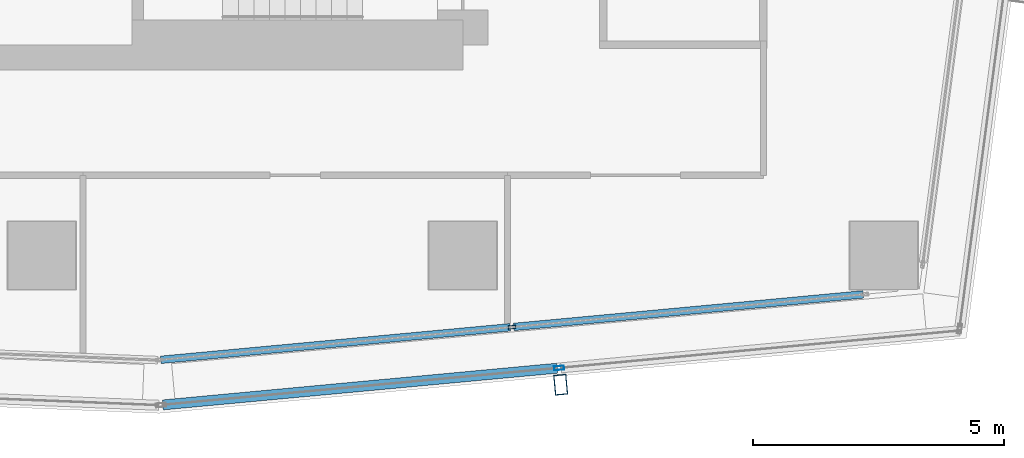
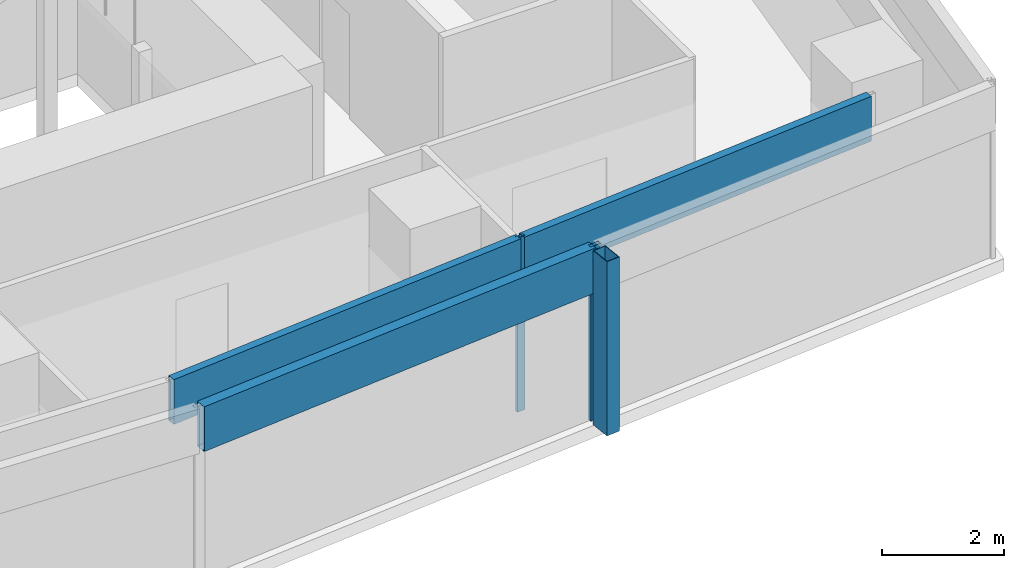
# One storey, part 11 of 40: 6 members, 2 elements without a shape of their own.
"""IFC4 building model written with IfcOpenShell, lengths in metres."""

import ifcopenshell
import ifcopenshell.guid

model = None  # the IFC model being written
_history = None  # IfcOwnerHistory: only IFC2X3 demands one
_inside = {}  # id of a spatial element -> (the spatial element, [elements in it])
_under = {}  # id of a project, library or spatial element -> (it, [spatial elements below it])
_declared = {}  # id of a project -> (the project, [libraries it declares])
_typed = {}  # id of a type object -> (the type object, [elements of that type])
_made_of = {}  # id of a material, layer set ... -> (it, [elements and type objects made of it])


def new_model(schema):
    """Start an empty IFC model of exactly this schema.

    Asked for "IFC4X3", IfcOpenShell would pick the latest addendum, in which some entities
    have other attributes; the version numbers below select the first issue.
    IFC2X3 requires an IfcOwnerHistory on every rooted entity: one is made here for all.
    """
    global model, _history
    if schema == "IFC4X3":
        model = ifcopenshell.file(schema_version=(4, 3, 0, 0))
    else:
        model = ifcopenshell.file(schema=schema)
    _inside.clear()
    _under.clear()
    _declared.clear()
    _typed.clear()
    _made_of.clear()
    _history = None
    if model.schema == "IFC2X3":
        org = make("IfcOrganization", Name="unknown")
        user = make(
            "IfcPersonAndOrganization",
            ThePerson=make("IfcPerson", FamilyName="unknown"),
            TheOrganization=org,
        )
        app = make(
            "IfcApplication",
            ApplicationDeveloper=org,
            Version="unknown",
            ApplicationFullName="unknown",
            ApplicationIdentifier="unknown",
        )
        _history = make(
            "IfcOwnerHistory",
            OwningUser=user,
            OwningApplication=app,
            ChangeAction="ADDED",
            CreationDate=0,
        )
    return model


def make(cls, **values):
    """One entity of the class cls with the attributes given. An attribute that is None is left unset."""
    return model.create_entity(
        cls, **{name: value for name, value in values.items() if value is not None}
    )


def rooted(cls, **values):
    """An entity with a GlobalId (a new one), such as an element, a storey or a relation."""
    return make(cls, GlobalId=ifcopenshell.guid.new(), OwnerHistory=_history, **values)


def si_unit(unit_type, name, prefix=None):
    """IfcSIUnit, for example si_unit("LENGTHUNIT", "METRE", prefix="MILLI")."""
    return make("IfcSIUnit", UnitType=unit_type, Prefix=prefix, Name=name)


def assignment(units):
    """IfcUnitAssignment: the units of a project."""
    return None if units is None else make("IfcUnitAssignment", Units=units)


def point(xyz):
    """IfcCartesianPoint."""
    return None if xyz is None else make("IfcCartesianPoint", Coordinates=xyz)


def direction(xyz):
    """IfcDirection."""
    return None if xyz is None else make("IfcDirection", DirectionRatios=xyz)


def frame(location, z_axis=None, x_axis=None):
    """IfcAxis2Placement3D, a coordinate frame: its origin and axes. An axis left out is left unset."""
    return make(
        "IfcAxis2Placement3D",
        Location=point(location),
        Axis=direction(z_axis),
        RefDirection=direction(x_axis),
    )


def frame_2d(location, x_axis=None):
    """IfcAxis2Placement2D, a coordinate frame in the plane: its origin and x axis."""
    return make(
        "IfcAxis2Placement2D", Location=point(location), RefDirection=direction(x_axis)
    )


def origin():
    """The frame at (0, 0, 0) with its axes left unset."""
    return frame((0.0, 0.0, 0.0))


def origin_2d():
    """The frame at (0, 0) in the plane with its x axis left unset."""
    return frame_2d((0.0, 0.0))


def place(relative_to, where):
    """IfcLocalPlacement: puts the frame where relative to a parent placement (None: the world)."""
    return make(
        "IfcLocalPlacement", PlacementRelTo=relative_to, RelativePlacement=where
    )


def context(
    kind, dimensions, precision=None, world=None, true_north=None, identifier=None
):
    """IfcGeometricRepresentationContext, for example the 3D "Model" context."""
    return make(
        "IfcGeometricRepresentationContext",
        ContextIdentifier=identifier,
        ContextType=kind,
        CoordinateSpaceDimension=dimensions,
        Precision=precision,
        WorldCoordinateSystem=world,
        TrueNorth=true_north,
    )


def subcontext(parent, identifier, kind, view, scale=None):
    """IfcGeometricRepresentationSubContext, for example "Body" below "Model"."""
    return make(
        "IfcGeometricRepresentationSubContext",
        ContextIdentifier=identifier,
        ContextType=kind,
        ParentContext=parent,
        TargetScale=scale,
        TargetView=view,
    )


def project(units=None, contexts=None):
    """IfcProject with its units and contexts."""
    return rooted(
        "IfcProject",
        Name="project",
        RepresentationContexts=contexts,
        UnitsInContext=assignment(units),
    )


def spatial(cls, under=None, at=None, **own):
    """A site, building, storey or space (cls), placed at a placement, below another one or the project."""
    s = rooted(cls, ObjectPlacement=at, **own)
    if under is not None:
        _under.setdefault(under.id(), (under, []))[1].append(s)
    return s


def profile(cls, at=None, kind="AREA", **sizes):
    """A parametric profile (cls). Its sizes go by their IFC names, for example OverallWidth=200.0."""
    return make(cls, ProfileType=kind, Position=at, **sizes)


def hollow_rectangle(**sizes):
    """IfcRectangleHollowProfileDef."""
    return profile("IfcRectangleHollowProfileDef", **sizes)


def extrude(swept, where, along, depth):
    """IfcExtrudedAreaSolid: the profile swept, set in the frame where, extruded along a direction by depth."""
    return make(
        "IfcExtrudedAreaSolid",
        SweptArea=swept,
        Position=where,
        ExtrudedDirection=direction(along),
        Depth=depth,
    )


def shape(context_of_items, identifier, shape_type, items):
    """IfcShapeRepresentation: the items that make up one representation, for example the "Body"."""
    return make(
        "IfcShapeRepresentation",
        ContextOfItems=context_of_items,
        RepresentationIdentifier=identifier,
        RepresentationType=shape_type,
        Items=items,
    )


def material(Name=None, Category=None):
    """IfcMaterial."""
    return make("IfcMaterial", Name=Name, Category=Category)


def material_profile(
    of_material, cross_section, Name=None, Category=None, Priority=None
):
    """IfcMaterialProfile: a cross section and its material."""
    return make(
        "IfcMaterialProfile",
        Name=Name,
        Material=of_material,
        Profile=cross_section,
        Priority=Priority,
        Category=Category,
    )


def profile_set(profiles, Name=None, composite=None):
    """IfcMaterialProfileSet."""
    return make(
        "IfcMaterialProfileSet",
        Name=Name,
        MaterialProfiles=profiles,
        CompositeProfile=composite,
    )


def made_of(thing, what):
    """Note that an element or type object is made of a material, layer set ...; save() writes the relation."""
    if what is not None:
        _made_of.setdefault(what.id(), (what, []))[1].append(thing)
    return thing


def type_object(cls, material=None, **own):
    """A type object (cls), such as IfcWallType, which elements share."""
    return made_of(rooted(cls, **own), material)


def element(
    cls,
    number,
    at=None,
    inside=None,
    cuts=None,
    type_object=None,
    material=None,
    context=None,
    identifier="Body",
    shape_type=None,
    held_by="IfcProductDefinitionShape",
    body=None,
    shapes=None,
    **own,
):
    """One element of the class cls, such as IfcWall. Its Tag is "e" and its number.

    at: its placement. inside: the storey or other place that contains it. cuts: it is an
    opening in that element (IfcRelVoidsElement). A single representation is given by context,
    identifier, shape_type and body (its items); several are given by shapes. held_by: the class
    of the entity that holds the representations. save() writes the other relations.
    """
    e = rooted(cls, Tag="e%d" % number, ObjectPlacement=at, **own)
    if body is not None:
        shapes = [shape(context, identifier, shape_type, body)]
    if shapes is not None:
        e.Representation = make(held_by, Representations=shapes)
    if inside is not None:
        _inside.setdefault(inside.id(), (inside, []))[1].append(e)
    if cuts is not None:
        rooted(
            "IfcRelVoidsElement", RelatingBuildingElement=cuts, RelatedOpeningElement=e
        )
    if type_object is not None:
        _typed.setdefault(type_object.id(), (type_object, []))[1].append(e)
    return made_of(e, material)


def aggregate(whole, parts):
    """IfcRelAggregates: a whole, such as a stair, and the parts it consists of."""
    return rooted("IfcRelAggregates", RelatingObject=whole, RelatedObjects=parts)


def save(model, path):
    """Write the relations noted so far, then the file.

    IfcRelAggregates (storeys below a building ...), IfcRelContainedInSpatialStructure (elements
    in a storey), IfcRelDefinesByType, IfcRelAssociatesMaterial and IfcRelDeclares: one each for
    every whole, place, type object, material and project.
    """
    for whole, parts in _under.values():
        aggregate(whole, parts)
    for where, things in _inside.values():
        rooted(
            "IfcRelContainedInSpatialStructure",
            RelatedElements=things,
            RelatingStructure=where,
        )
    for kind, things in _typed.values():
        rooted("IfcRelDefinesByType", RelatedObjects=things, RelatingType=kind)
    for what, things in _made_of.values():
        rooted("IfcRelAssociatesMaterial", RelatedObjects=things, RelatingMaterial=what)
    for by, libraries in _declared.values():
        rooted("IfcRelDeclares", RelatingContext=by, RelatedDefinitions=libraries)
    model.write(path)


model = new_model("IFC4")

# Units and contexts
model_context = context("Model", 3, precision=1e-05, world=origin(), true_north=direction((0.0, 1.0)))
body_context = subcontext(model_context, "Body", "Model", "MODEL_VIEW")
ifc_project = project(units=[si_unit("LENGTHUNIT", "METRE"), si_unit("AREAUNIT", "SQUARE_METRE"), si_unit("VOLUMEUNIT", "CUBIC_METRE"), si_unit("PLANEANGLEUNIT", "RADIAN"), si_unit("MASSUNIT", "GRAM", prefix="KILO")], contexts=[model_context])

# Site, building, storey
site_placement = place(None, origin())
site = spatial("IfcSite", under=ifc_project, at=site_placement, CompositionType="ELEMENT")
building_placement = place(site_placement, origin())
building = spatial("IfcBuilding", under=site, at=building_placement, Name="Rekha Terrace Tower", CompositionType="ELEMENT")
storey_placement = place(building_placement, frame((0.0, 0.0, 210.199951171875)))
storey = spatial("IfcBuildingStorey", under=building, at=storey_placement, Name="L53", CompositionType="ELEMENT", Elevation=210.199951171875)

# Curtain wall, member
ifc_material_1 = material(Name="Aluminium framing", Category="aluminium")
curtain_wall_type_1 = type_object("IfcCurtainWallType", Name="CW2 double skin outer glazing", PredefinedType="USERDEFINED", material=ifc_material_1)
curtain_wall_1_placement = place(storey_placement, origin())
curtain_wall_1 = element("IfcCurtainWall", 1, at=curtain_wall_1_placement, inside=storey, type_object=curtain_wall_type_1, Name="CW2 double skin outer glazing", ObjectType="DOUBLE SKIN OUTER GLAZING", PredefinedType="USERDEFINED")
ifc_material_2 = material(Name="Steel S355 with fluorocarbon finish", Category="steel")
ifc_material_profile_1 = material_profile(ifc_material_2, hollow_rectangle(XDim=0.25, YDim=0.39990234375, WallThickness=0.012451171875, at=origin_2d()), Name="RHS400x250x12.5")
ifc_profile_set_1 = profile_set([ifc_material_profile_1], Name="Steel S355 with fluorocarbon finish")
member_type_1 = type_object("IfcMemberType", Name="BL1 facade blade RHS 400 x 250", PredefinedType="USERDEFINED", material=ifc_profile_set_1)
member_1_placement = place(storey_placement, frame((52.35302734375, 14.22021484375, 0.0), z_axis=(0.0, 0.0, 1.0), x_axis=(0.995693203185, 0.092709466242, 0.0)))
member_1 = element("IfcMember", 2, at=member_1_placement, type_object=member_type_1, Name="Facade blade", ObjectType="FACADE BLADE", PredefinedType="USERDEFINED", context=body_context, shape_type="SweptSolid", body=[
    extrude(hollow_rectangle(XDim=0.25, YDim=0.39990234375, WallThickness=0.012451171875, at=origin_2d()), origin(), (0.0, 0.0, 1.0), 3.5),
])

# Curtain wall, members
curtain_wall_type_2 = type_object("IfcCurtainWallType", Name="CW1 double skin inner glazing", PredefinedType="USERDEFINED", material=ifc_material_1)
curtain_wall_2_placement = place(storey_placement, origin())
curtain_wall_2 = element("IfcCurtainWall", 3, at=curtain_wall_2_placement, inside=storey, type_object=curtain_wall_type_2, Name="CW1 double skin inner glazing", ObjectType="DOUBLE SKIN INNER GLAZING", PredefinedType="USERDEFINED")
ifc_material_3 = material(Name="Aluminium mullion section", Category="aluminium")
ifc_material_profile_2 = material_profile(ifc_material_3, hollow_rectangle(XDim=0.06494140625, YDim=0.14990234375, WallThickness=0.00390625, at=origin_2d()), Name="AL RHS 65x150")
ifc_profile_set_2 = profile_set([ifc_material_profile_2], Name="Aluminium mullion section")
member_type_2 = type_object("IfcMemberType", Name="CW1 mullion RHS 65 x 150", PredefinedType="MULLION", material=ifc_profile_set_2)
member_2_placement = place(storey_placement, frame((51.3818359375, 15.370361328125, 0.0), z_axis=(0.0, 0.0, 1.0), x_axis=(-0.092708869564, 0.995693258742, 0.0)))
member_2 = element("IfcMember", 4, at=member_2_placement, type_object=member_type_2, Name="CW1 mullion 2", PredefinedType="MULLION", context=body_context, shape_type="SweptSolid", body=[
    extrude(hollow_rectangle(XDim=0.06494140625, YDim=0.14990234375, WallThickness=0.00390625, at=origin_2d()), origin(), (0.0, 0.0, 1.0), 3.5),
])
ifc_material_4 = material(Name="Insulated aluminium spandrel box", Category="aluminium")
ifc_material_profile_3 = material_profile(ifc_material_4, hollow_rectangle(XDim=0.14990234375, YDim=0.89990234375, WallThickness=0.0029296875, at=origin_2d()), Name="AL SPANDREL BOX 150x900")
ifc_profile_set_3 = profile_set([ifc_material_profile_3], Name="Insulated aluminium spandrel box")
member_type_3 = type_object("IfcMemberType", Name="CW1 spandrel transom 150 x 900", PredefinedType="USERDEFINED", material=ifc_profile_set_3)
member_3_placement = place(storey_placement, frame((44.376708984375, 14.718017578125, 3.050048828125), z_axis=(0.995694259474, 0.092698121072, 0.0), x_axis=(-0.092698121072, 0.995694259474, 0.0)))
member_3 = element("IfcMember", 5, at=member_3_placement, type_object=member_type_3, Name="CW1 spandrel transom 1", ObjectType="TRANSOM", PredefinedType="USERDEFINED", context=body_context, shape_type="SweptSolid", body=[
    extrude(hollow_rectangle(XDim=0.14990234375, YDim=0.89990234375, WallThickness=0.0029296875, at=origin_2d()), origin(), (0.0, 0.0, 1.0), 7.003173828125),
])
member_4_placement = place(storey_placement, frame((51.414306640625, 15.373291015625, 3.050048828125), z_axis=(0.995694259474, 0.092698121072, 0.0), x_axis=(-0.092698121072, 0.995694259474, 0.0)))
member_4 = element("IfcMember", 6, at=member_4_placement, type_object=member_type_3, Name="CW1 spandrel transom 2", ObjectType="TRANSOM", PredefinedType="USERDEFINED", context=body_context, shape_type="SweptSolid", body=[
    extrude(hollow_rectangle(XDim=0.14990234375, YDim=0.89990234375, WallThickness=0.0029296875, at=origin_2d()), origin(), (0.0, 0.0, 1.0), 7.003173828125),
])
aggregate(curtain_wall_2, [member_2, member_3, member_4])

# Member
ifc_material_profile_4 = material_profile(ifc_material_3, hollow_rectangle(XDim=0.080078125, YDim=0.199951171875, WallThickness=0.00390625, at=origin_2d()), Name="AL RHS 80x200")
ifc_profile_set_4 = profile_set([ifc_material_profile_4], Name="Aluminium mullion section")
member_type_4 = type_object("IfcMemberType", Name="CW2 mullion RHS 80 x 200", PredefinedType="MULLION", material=ifc_profile_set_4)
member_5_placement = place(storey_placement, frame((52.322021484375, 14.553955078125, 0.0), z_axis=(0.0, 0.0, 1.0), x_axis=(-0.092708869512, 0.995693258747, 0.0)))
member_5 = element("IfcMember", 7, at=member_5_placement, type_object=member_type_4, Name="CW2 mullion 2", PredefinedType="MULLION", context=body_context, shape_type="SweptSolid", body=[
    extrude(hollow_rectangle(XDim=0.080078125, YDim=0.199951171875, WallThickness=0.00390625, at=origin_2d()), origin(), (0.0, 0.0, 1.0), 3.5),
])

ifc_material_profile_5 = material_profile(ifc_material_4, hollow_rectangle(XDim=0.199951171875, YDim=0.89990234375, WallThickness=0.0029296875, at=origin_2d()), Name="AL SPANDREL BOX 200x900")
ifc_profile_set_5 = profile_set([ifc_material_profile_5], Name="Insulated aluminium spandrel box")
member_type_5 = type_object("IfcMemberType", Name="CW2 spandrel transom 200 x 900", PredefinedType="USERDEFINED", material=ifc_profile_set_5)
member_6_placement = place(storey_placement, frame((44.41552734375, 13.817626953125, 3.050048828125), z_axis=(0.995690937161, 0.092733799963, 0.0), x_axis=(-0.092733799963, 0.995690937161, 0.0)))
member_6 = element("IfcMember", 8, at=member_6_placement, type_object=member_type_5, Name="CW2 spandrel transom 1", ObjectType="TRANSOM", PredefinedType="USERDEFINED", context=body_context, shape_type="SweptSolid", body=[
    extrude(hollow_rectangle(XDim=0.199951171875, YDim=0.89990234375, WallThickness=0.0029296875, at=origin_2d()), origin(), (0.0, 0.0, 1.0), 7.900634765625),
])

aggregate(curtain_wall_1, [member_5, member_6, member_1])

save(model, "model.ifc")
